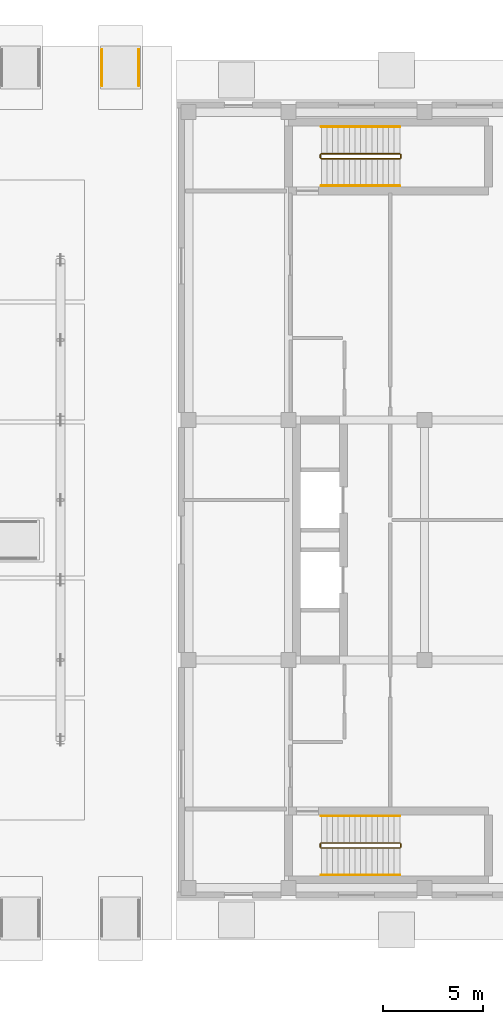
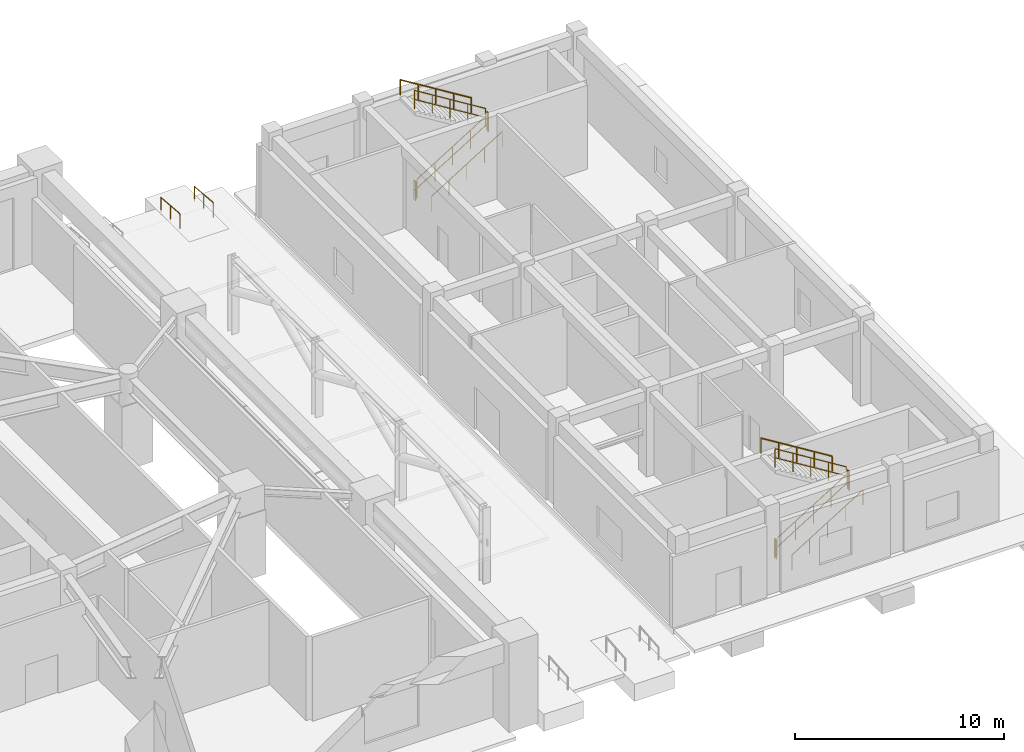
# One storey, part 26 of 27: 14 railings.
"""IFC4 building model written with IfcOpenShell, lengths in metres."""

from ifc_helpers import new_model, si_unit, direction, frame, origin, origin_2d, place, context, subcontext, project, spatial, circle, extrude, material, type_object, element, save


model = new_model("IFC4")

# Units and contexts
model_context = context("Model", 3, precision=1e-05, world=origin(), true_north=direction((0.0, 1.0)))
body_context = subcontext(model_context, "Body", "Model", "MODEL_VIEW")
ifc_project = project(units=[si_unit("LENGTHUNIT", "METRE"), si_unit("AREAUNIT", "SQUARE_METRE"), si_unit("VOLUMEUNIT", "CUBIC_METRE"), si_unit("PLANEANGLEUNIT", "RADIAN"), si_unit("MASSUNIT", "GRAM", prefix="KILO")], contexts=[model_context])

# Site, building, storey
site_placement = place(None, origin())
site = spatial("IfcSite", under=ifc_project, at=site_placement, CompositionType="ELEMENT")
building_placement = place(site_placement, origin())
building = spatial("IfcBuilding", under=site, at=building_placement, Name="Veraguas Prism Commons", CompositionType="ELEMENT")
storey_placement = place(building_placement, origin())
storey = spatial("IfcBuildingStorey", under=building, at=storey_placement, Name="L00", CompositionType="ELEMENT", Elevation=0.0)

# Railings
ifc_material = material(Name="Stainless steel AISI 316", Category="steel")
railing_type_1 = type_object("IfcRailingType", Name="Stair and Ramp Stainless Handrail 900", PredefinedType="HANDRAIL", material=ifc_material)
railing_1_placement = place(storey_placement, frame((64.25, 5.25, 0.17333984375)))
element("IfcRailing", 1, at=railing_1_placement, inside=storey, type_object=railing_type_1, Name="Stair Handrail ST-H1 L00-1", PredefinedType="HANDRAIL", context=body_context, shape_type="SweptSolid", body=[
    extrude(circle(Radius=0.02392578125, at=origin_2d()), frame((0.0, 0.0, 0.8759765625), z_axis=(0.850251603719, 0.0, 0.526376491091), x_axis=(0.0, 1.0, 0.0)), (0.0, 0.0, 1.0), 4.6103515625),
    extrude(circle(Radius=0.02099609375, at=origin_2d()), origin(), (0.0, 0.0, 1.0), 0.851806640625),
    extrude(circle(Radius=0.02099609375, at=origin_2d()), frame((0.97998046875, 0.0, 0.606689453125)), (0.0, 0.0, 1.0), 0.851806640625),
    extrude(circle(Radius=0.02099609375, at=origin_2d()), frame((1.9599609375, 0.0, 1.21337890625)), (0.0, 0.0, 1.0), 0.851806640625),
    extrude(circle(Radius=0.02099609375, at=origin_2d()), frame((2.93994140625, 0.0, 1.820068359375)), (0.0, 0.0, 1.0), 0.851806640625),
    extrude(circle(Radius=0.02099609375, at=origin_2d()), frame((3.919921875, 0.0, 2.4267578125)), (0.0, 0.0, 1.0), 0.851806640625),
])
railing_2_placement = place(storey_placement, frame((68.169921875, 8.199951171875, 2.7734375)))
element("IfcRailing", 2, at=railing_2_placement, inside=storey, type_object=railing_type_1, Name="Stair Handrail ST-H1 L00-2", PredefinedType="HANDRAIL", context=body_context, shape_type="SweptSolid", body=[
    extrude(circle(Radius=0.02392578125, at=origin_2d()), frame((0.0, 0.0, 0.8759765625), z_axis=(-0.850275303828, 0.0, 0.526338206574), x_axis=(0.0, -1.0, 0.0)), (0.0, 0.0, 1.0), 4.610107421875),
    extrude(circle(Radius=0.02099609375, at=origin_2d()), origin(), (0.0, 0.0, 1.0), 0.851806640625),
    extrude(circle(Radius=0.02099609375, at=origin_2d()), frame((-0.97998046875, 0.0, 0.606689453125)), (0.0, 0.0, 1.0), 0.851806640625),
    extrude(circle(Radius=0.02099609375, at=origin_2d()), frame((-1.9599609375, 0.0, 1.21337890625)), (0.0, 0.0, 1.0), 0.851806640625),
    extrude(circle(Radius=0.02099609375, at=origin_2d()), frame((-2.93994140625, 0.0, 1.81982421875)), (0.0, 0.0, 1.0), 0.851806640625),
    extrude(circle(Radius=0.02099609375, at=origin_2d()), frame((-3.919921875, 0.0, 2.426513671875)), (0.0, 0.0, 1.0), 0.851806640625),
])
railing_3_placement = place(storey_placement, frame((64.25, 39.7099609375, 0.17333984375)))
element("IfcRailing", 3, at=railing_3_placement, inside=storey, type_object=railing_type_1, Name="Stair Handrail ST-H2 L00-1", PredefinedType="HANDRAIL", context=body_context, shape_type="SweptSolid", body=[
    extrude(circle(Radius=0.02392578125, at=origin_2d()), frame((0.0, 0.0, 0.8759765625), z_axis=(0.850251603719, 0.0, 0.526376491091), x_axis=(0.0, 1.0, 0.0)), (0.0, 0.0, 1.0), 4.6103515625),
    extrude(circle(Radius=0.02099609375, at=origin_2d()), origin(), (0.0, 0.0, 1.0), 0.851806640625),
    extrude(circle(Radius=0.02099609375, at=origin_2d()), frame((0.97998046875, 0.0, 0.606689453125)), (0.0, 0.0, 1.0), 0.851806640625),
    extrude(circle(Radius=0.02099609375, at=origin_2d()), frame((1.9599609375, 0.0, 1.21337890625)), (0.0, 0.0, 1.0), 0.851806640625),
    extrude(circle(Radius=0.02099609375, at=origin_2d()), frame((2.93994140625, 0.0, 1.820068359375)), (0.0, 0.0, 1.0), 0.851806640625),
    extrude(circle(Radius=0.02099609375, at=origin_2d()), frame((3.919921875, 0.0, 2.4267578125)), (0.0, 0.0, 1.0), 0.851806640625),
])
railing_4_placement = place(storey_placement, frame((68.169921875, 42.659912109375, 2.7734375)))
element("IfcRailing", 4, at=railing_4_placement, inside=storey, type_object=railing_type_1, Name="Stair Handrail ST-H2 L00-2", PredefinedType="HANDRAIL", context=body_context, shape_type="SweptSolid", body=[
    extrude(circle(Radius=0.02392578125, at=origin_2d()), frame((0.0, 0.0, 0.8759765625), z_axis=(-0.850275303828, 0.0, 0.526338206574), x_axis=(0.0, -1.0, 0.0)), (0.0, 0.0, 1.0), 4.610107421875),
    extrude(circle(Radius=0.02099609375, at=origin_2d()), origin(), (0.0, 0.0, 1.0), 0.851806640625),
    extrude(circle(Radius=0.02099609375, at=origin_2d()), frame((-0.97998046875, 0.0, 0.606689453125)), (0.0, 0.0, 1.0), 0.851806640625),
    extrude(circle(Radius=0.02099609375, at=origin_2d()), frame((-1.9599609375, 0.0, 1.21337890625)), (0.0, 0.0, 1.0), 0.851806640625),
    extrude(circle(Radius=0.02099609375, at=origin_2d()), frame((-2.93994140625, 0.0, 1.81982421875)), (0.0, 0.0, 1.0), 0.851806640625),
    extrude(circle(Radius=0.02099609375, at=origin_2d()), frame((-3.919921875, 0.0, 2.426513671875)), (0.0, 0.0, 1.0), 0.851806640625),
])
for number, where, name in (
    (5, (53.280029296875, 46.52001953125, -0.1650390625), "Accessible Ramp Handrail AC04-L"),
    (6, (55.1201171875, 46.52001953125, -0.1650390625), "Accessible Ramp Handrail AC04-R"),
):
    element("IfcRailing", number, at=place(storey_placement, frame(where)), inside=storey, type_object=railing_type_1, Name=name, PredefinedType="HANDRAIL", context=body_context, shape_type="SweptSolid", body=[
        extrude(circle(Radius=0.02392578125, at=origin_2d()), frame((0.0, 0.0, 0.8759765625), z_axis=(0.0, -0.996539230174, 0.083123779541), x_axis=(1.0, 0.0, 0.0)), (0.0, 0.0, 1.0), 1.806396484375),
        extrude(circle(Radius=0.02099609375, at=origin_2d()), origin(), (0.0, 0.0, 1.0), 0.851806640625),
        extrude(circle(Radius=0.02099609375, at=origin_2d()), frame((0.0, -0.89990234375, 0.0751953125)), (0.0, 0.0, 1.0), 0.851806640625),
        extrude(circle(Radius=0.02099609375, at=origin_2d()), frame((0.0, -1.800048828125, 0.150146484375)), (0.0, 0.0, 1.0), 0.851806640625),
    ])
railing_type_2 = type_object("IfcRailingType", Name="Stairwell Safety Guardrail 1100", PredefinedType="GUARDRAIL", material=ifc_material)
railing_5_placement = place(storey_placement, frame((64.25, 6.60009765625, 0.17333984375)))
element("IfcRailing", 7, at=railing_5_placement, inside=storey, type_object=railing_type_2, Name="Stair Guard ST-H1 L00-1", PredefinedType="GUARDRAIL", context=body_context, shape_type="SweptSolid", body=[
    extrude(circle(Radius=0.02392578125, at=origin_2d()), frame((0.0, 0.0, 1.076171875), z_axis=(0.850251603719, 0.0, 0.526376491091), x_axis=(0.0, 1.0, 0.0)), (0.0, 0.0, 1.0), 4.6103515625),
    extrude(circle(Radius=0.02392578125, at=origin_2d()), frame((0.0, 0.0, 0.550048828125), z_axis=(0.850251603719, 0.0, 0.526376491091), x_axis=(0.0, 1.0, 0.0)), (0.0, 0.0, 1.0), 4.6103515625),
    extrude(circle(Radius=0.02099609375, at=origin_2d()), origin(), (0.0, 0.0, 1.0), 1.052001953125),
    extrude(circle(Radius=0.02099609375, at=origin_2d()), frame((0.97998046875, 0.0, 0.606689453125)), (0.0, 0.0, 1.0), 1.052001953125),
    extrude(circle(Radius=0.02099609375, at=origin_2d()), frame((1.9599609375, 0.0, 1.21337890625)), (0.0, 0.0, 1.0), 1.052001953125),
    extrude(circle(Radius=0.02099609375, at=origin_2d()), frame((2.93994140625, 0.0, 1.820068359375)), (0.0, 0.0, 1.0), 1.052001953125),
    extrude(circle(Radius=0.02099609375, at=origin_2d()), frame((3.919921875, 0.0, 2.4267578125)), (0.0, 0.0, 1.0), 1.052001953125),
])
railing_6_placement = place(storey_placement, frame((68.219970703125, 6.64990234375, 2.60009765625)))
element("IfcRailing", 8, at=railing_6_placement, inside=storey, type_object=railing_type_2, Name="Stair Guard ST-H1 L00-2", PredefinedType="GUARDRAIL", context=body_context, shape_type="SweptSolid", body=[
    extrude(circle(Radius=0.02392578125, at=origin_2d()), frame((0.0, 0.0, 1.076171875), z_axis=(0.0, 1.0, 0.0), x_axis=(-1.0, 0.0, 0.0)), (0.0, 0.0, 1.0), 0.150146484375),
    extrude(circle(Radius=0.02392578125, at=origin_2d()), frame((0.0, 0.0, 0.550048828125), z_axis=(0.0, 1.0, 0.0), x_axis=(-1.0, 0.0, 0.0)), (0.0, 0.0, 1.0), 0.150146484375),
    extrude(circle(Radius=0.02099609375, at=origin_2d()), origin(), (0.0, 0.0, 1.0), 1.052001953125),
    extrude(circle(Radius=0.02099609375, at=origin_2d()), frame((0.0, 0.150146484375, 0.0)), (0.0, 0.0, 1.0), 1.052001953125),
])
railing_7_placement = place(storey_placement, frame((68.169921875, 6.85009765625, 2.7734375)))
element("IfcRailing", 9, at=railing_7_placement, inside=storey, type_object=railing_type_2, Name="Stair Guard ST-H1 L00-3", PredefinedType="GUARDRAIL", context=body_context, shape_type="SweptSolid", body=[
    extrude(circle(Radius=0.02392578125, at=origin_2d()), frame((0.0, 0.0, 1.076171875), z_axis=(-0.850275303828, 0.0, 0.526338206574), x_axis=(0.0, -1.0, 0.0)), (0.0, 0.0, 1.0), 4.610107421875),
    extrude(circle(Radius=0.02392578125, at=origin_2d()), frame((0.0, 0.0, 0.550048828125), z_axis=(-0.850275303828, 0.0, 0.526338206574), x_axis=(0.0, -1.0, 0.0)), (0.0, 0.0, 1.0), 4.610107421875),
    extrude(circle(Radius=0.02099609375, at=origin_2d()), origin(), (0.0, 0.0, 1.0), 1.052001953125),
    extrude(circle(Radius=0.02099609375, at=origin_2d()), frame((-0.97998046875, 0.0, 0.606689453125)), (0.0, 0.0, 1.0), 1.052001953125),
    extrude(circle(Radius=0.02099609375, at=origin_2d()), frame((-1.9599609375, 0.0, 1.21337890625)), (0.0, 0.0, 1.0), 1.052001953125),
    extrude(circle(Radius=0.02099609375, at=origin_2d()), frame((-2.93994140625, 0.0, 1.81982421875)), (0.0, 0.0, 1.0), 1.052001953125),
    extrude(circle(Radius=0.02099609375, at=origin_2d()), frame((-3.919921875, 0.0, 2.426513671875)), (0.0, 0.0, 1.0), 1.052001953125),
])
railing_8_placement = place(storey_placement, frame((64.199951171875, 6.64990234375, 0.0)))
element("IfcRailing", 10, at=railing_8_placement, inside=storey, type_object=railing_type_2, Name="Stair Guard ST-H1 L00-4", PredefinedType="GUARDRAIL", context=body_context, shape_type="SweptSolid", body=[
    extrude(circle(Radius=0.02392578125, at=origin_2d()), frame((0.0, 0.0, 1.076171875), z_axis=(0.0, 1.0, 0.0), x_axis=(-1.0, 0.0, 0.0)), (0.0, 0.0, 1.0), 0.150146484375),
    extrude(circle(Radius=0.02392578125, at=origin_2d()), frame((0.0, 0.0, 0.550048828125), z_axis=(0.0, 1.0, 0.0), x_axis=(-1.0, 0.0, 0.0)), (0.0, 0.0, 1.0), 0.150146484375),
    extrude(circle(Radius=0.02099609375, at=origin_2d()), origin(), (0.0, 0.0, 1.0), 1.052001953125),
    extrude(circle(Radius=0.02099609375, at=origin_2d()), frame((0.0, 0.150146484375, 0.0)), (0.0, 0.0, 1.0), 1.052001953125),
])
railing_9_placement = place(storey_placement, frame((64.25, 41.06005859375, 0.17333984375)))
element("IfcRailing", 11, at=railing_9_placement, inside=storey, type_object=railing_type_2, Name="Stair Guard ST-H2 L00-1", PredefinedType="GUARDRAIL", context=body_context, shape_type="SweptSolid", body=[
    extrude(circle(Radius=0.02392578125, at=origin_2d()), frame((0.0, 0.0, 1.076171875), z_axis=(0.850251603719, 0.0, 0.526376491091), x_axis=(0.0, 1.0, 0.0)), (0.0, 0.0, 1.0), 4.6103515625),
    extrude(circle(Radius=0.02392578125, at=origin_2d()), frame((0.0, 0.0, 0.550048828125), z_axis=(0.850251603719, 0.0, 0.526376491091), x_axis=(0.0, 1.0, 0.0)), (0.0, 0.0, 1.0), 4.6103515625),
    extrude(circle(Radius=0.02099609375, at=origin_2d()), origin(), (0.0, 0.0, 1.0), 1.052001953125),
    extrude(circle(Radius=0.02099609375, at=origin_2d()), frame((0.97998046875, 0.0, 0.606689453125)), (0.0, 0.0, 1.0), 1.052001953125),
    extrude(circle(Radius=0.02099609375, at=origin_2d()), frame((1.9599609375, 0.0, 1.21337890625)), (0.0, 0.0, 1.0), 1.052001953125),
    extrude(circle(Radius=0.02099609375, at=origin_2d()), frame((2.93994140625, 0.0, 1.820068359375)), (0.0, 0.0, 1.0), 1.052001953125),
    extrude(circle(Radius=0.02099609375, at=origin_2d()), frame((3.919921875, 0.0, 2.4267578125)), (0.0, 0.0, 1.0), 1.052001953125),
])
railing_10_placement = place(storey_placement, frame((68.219970703125, 41.110107421875, 2.60009765625)))
element("IfcRailing", 12, at=railing_10_placement, inside=storey, type_object=railing_type_2, Name="Stair Guard ST-H2 L00-2", PredefinedType="GUARDRAIL", context=body_context, shape_type="SweptSolid", body=[
    extrude(circle(Radius=0.02392578125, at=origin_2d()), frame((0.0, 0.0, 1.076171875), z_axis=(0.0, 1.0, 0.0), x_axis=(-1.0, 0.0, 0.0)), (0.0, 0.0, 1.0), 0.14990234375),
    extrude(circle(Radius=0.02392578125, at=origin_2d()), frame((0.0, 0.0, 0.550048828125), z_axis=(0.0, 1.0, 0.0), x_axis=(-1.0, 0.0, 0.0)), (0.0, 0.0, 1.0), 0.14990234375),
    extrude(circle(Radius=0.02099609375, at=origin_2d()), origin(), (0.0, 0.0, 1.0), 1.052001953125),
    extrude(circle(Radius=0.02099609375, at=origin_2d()), frame((0.0, 0.14990234375, 0.0)), (0.0, 0.0, 1.0), 1.052001953125),
])
railing_11_placement = place(storey_placement, frame((68.169921875, 41.31005859375, 2.7734375)))
element("IfcRailing", 13, at=railing_11_placement, inside=storey, type_object=railing_type_2, Name="Stair Guard ST-H2 L00-3", PredefinedType="GUARDRAIL", context=body_context, shape_type="SweptSolid", body=[
    extrude(circle(Radius=0.02392578125, at=origin_2d()), frame((0.0, 0.0, 1.076171875), z_axis=(-0.850275303828, 0.0, 0.526338206574), x_axis=(0.0, -1.0, 0.0)), (0.0, 0.0, 1.0), 4.610107421875),
    extrude(circle(Radius=0.02392578125, at=origin_2d()), frame((0.0, 0.0, 0.550048828125), z_axis=(-0.850275303828, 0.0, 0.526338206574), x_axis=(0.0, -1.0, 0.0)), (0.0, 0.0, 1.0), 4.610107421875),
    extrude(circle(Radius=0.02099609375, at=origin_2d()), origin(), (0.0, 0.0, 1.0), 1.052001953125),
    extrude(circle(Radius=0.02099609375, at=origin_2d()), frame((-0.97998046875, 0.0, 0.606689453125)), (0.0, 0.0, 1.0), 1.052001953125),
    extrude(circle(Radius=0.02099609375, at=origin_2d()), frame((-1.9599609375, 0.0, 1.21337890625)), (0.0, 0.0, 1.0), 1.052001953125),
    extrude(circle(Radius=0.02099609375, at=origin_2d()), frame((-2.93994140625, 0.0, 1.81982421875)), (0.0, 0.0, 1.0), 1.052001953125),
    extrude(circle(Radius=0.02099609375, at=origin_2d()), frame((-3.919921875, 0.0, 2.426513671875)), (0.0, 0.0, 1.0), 1.052001953125),
])
railing_12_placement = place(storey_placement, frame((64.199951171875, 41.110107421875, 0.0)))
element("IfcRailing", 14, at=railing_12_placement, inside=storey, type_object=railing_type_2, Name="Stair Guard ST-H2 L00-4", PredefinedType="GUARDRAIL", context=body_context, shape_type="SweptSolid", body=[
    extrude(circle(Radius=0.02392578125, at=origin_2d()), frame((0.0, 0.0, 1.076171875), z_axis=(0.0, 1.0, 0.0), x_axis=(-1.0, 0.0, 0.0)), (0.0, 0.0, 1.0), 0.14990234375),
    extrude(circle(Radius=0.02392578125, at=origin_2d()), frame((0.0, 0.0, 0.550048828125), z_axis=(0.0, 1.0, 0.0), x_axis=(-1.0, 0.0, 0.0)), (0.0, 0.0, 1.0), 0.14990234375),
    extrude(circle(Radius=0.02099609375, at=origin_2d()), origin(), (0.0, 0.0, 1.0), 1.052001953125),
    extrude(circle(Radius=0.02099609375, at=origin_2d()), frame((0.0, 0.14990234375, 0.0)), (0.0, 0.0, 1.0), 1.052001953125),
])

save(model, "model.ifc")
